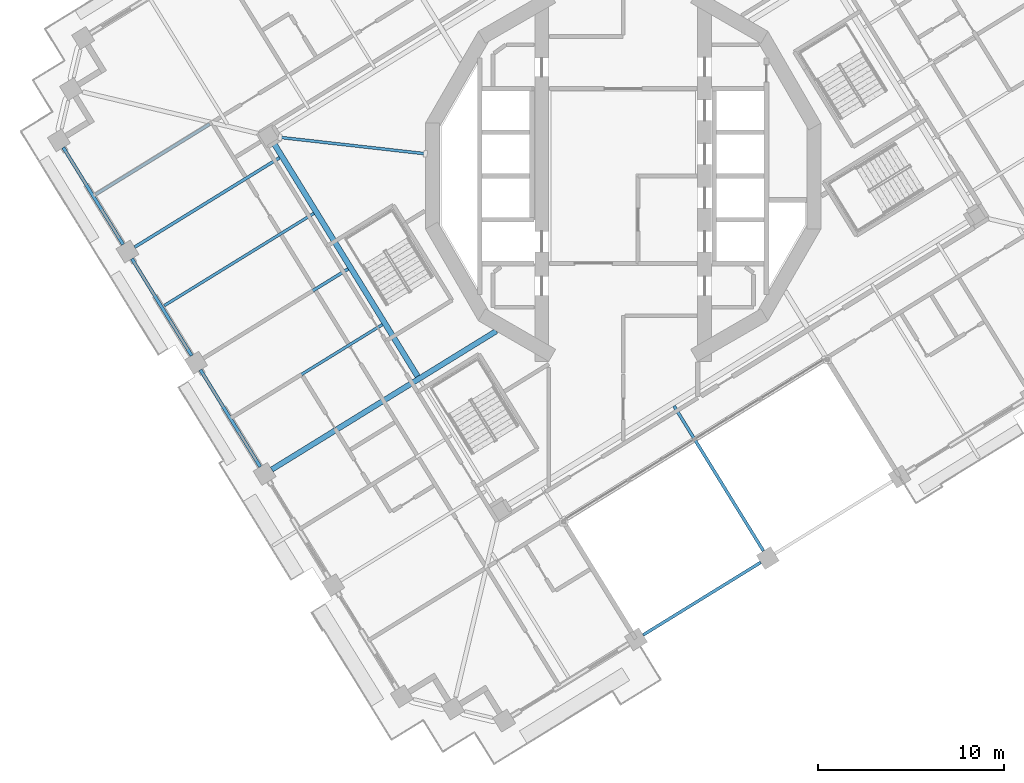
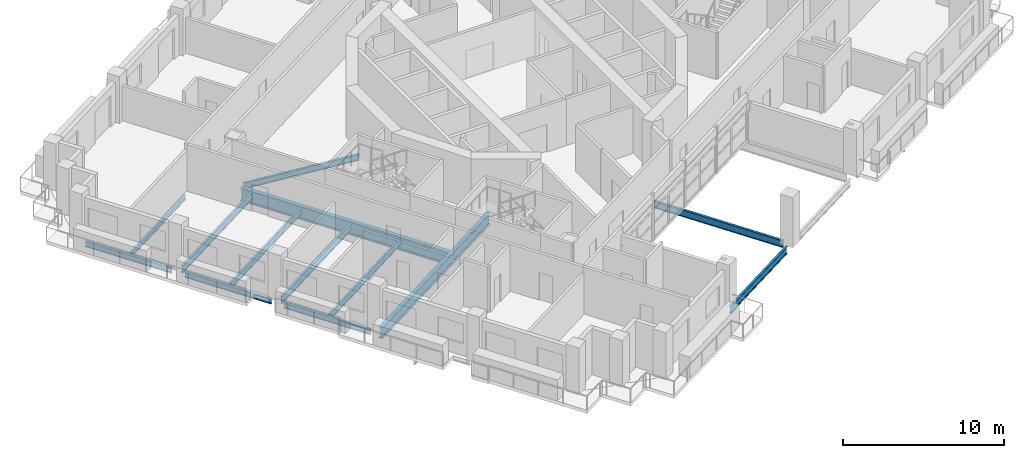
# One storey, part 3 of 22: 13 beams.
"""IFC4 building model written with IfcOpenShell, lengths in metres."""

from ifc_helpers import new_model, si_unit, direction, frame, origin, origin_2d, place, context, subcontext, project, spatial, i_section, extrude, material, material_profile, profile_set, type_object, element, save


model = new_model("IFC4")

# Units and contexts
model_context = context("Model", 3, precision=1e-05, world=origin(), true_north=direction((0.0, 1.0)))
body_context = subcontext(model_context, "Body", "Model", "MODEL_VIEW")
ifc_project = project(units=[si_unit("LENGTHUNIT", "METRE"), si_unit("AREAUNIT", "SQUARE_METRE"), si_unit("VOLUMEUNIT", "CUBIC_METRE"), si_unit("PLANEANGLEUNIT", "RADIAN"), si_unit("MASSUNIT", "GRAM", prefix="KILO")], contexts=[model_context])

# Site, building, storey
site_placement = place(None, origin())
site = spatial("IfcSite", under=ifc_project, at=site_placement, CompositionType="ELEMENT")
building_placement = place(site_placement, origin())
building = spatial("IfcBuilding", under=site, at=building_placement, Name="Cantera Rosa Tower", CompositionType="ELEMENT")
storey_placement = place(building_placement, frame((0.0, 0.0, 178.0)))
storey = spatial("IfcBuildingStorey", under=building, at=storey_placement, Name="L39", CompositionType="ELEMENT", Elevation=178.0)

# Beams
ifc_material_1 = material(Name="Steel ASTM A992 (Fy 345 MPa)", Category="steel")
ifc_material_profile_1 = material_profile(ifc_material_1, i_section(OverallWidth=0.300048828125, OverallDepth=0.990966796875, WebThickness=0.0166015625, FlangeThickness=0.030517578125, FilletRadius=0.030029296875, at=origin_2d()), Name="W1000X272")
ifc_profile_set_1 = profile_set([ifc_material_profile_1], Name="Steel ASTM A992 (Fy 345 MPa)")
beam_type_1 = type_object("IfcBeamType", Name="STEEL BEAM W1000X272", PredefinedType="BEAM", material=ifc_profile_set_1)
beam_1_placement = place(storey_placement, frame((-11.04541015625, -10.7607421875, -0.74560546875), z_axis=(-0.524974072618, 0.851118219215, 0.0), x_axis=(-0.851118219215, -0.524974072618, 0.0)))
element("IfcBeam", 1, at=beam_1_placement, inside=storey, type_object=beam_type_1, Name="RB-Z3-08 L39", PredefinedType="BEAM", context=body_context, shape_type="SweptSolid", body=[
    extrude(i_section(OverallWidth=0.300048828125, OverallDepth=0.990966796875, WebThickness=0.0166015625, FlangeThickness=0.030517578125, FilletRadius=0.030029296875, at=origin_2d()), origin(), (0.0, 0.0, 1.0), 14.7099609375),
])
ifc_material_2 = material(Name="Steel ASTM A992 (Fy 345 MPa)", Category="steel")
ifc_material_profile_2 = material_profile(ifc_material_2, i_section(OverallWidth=0.154052734375, OverallDepth=0.4599609375, WebThickness=0.009033203125, FlangeThickness=0.015380859375, FilletRadius=0.01025390625, at=origin_2d()), Name="W460X68")
ifc_profile_set_2 = profile_set([ifc_material_profile_2], Name="Steel ASTM A992 (Fy 345 MPa)")
beam_type_2 = type_object("IfcBeamType", Name="STEEL BEAM W460X68", PredefinedType="BEAM", material=ifc_profile_set_2)
beam_2_placement = place(storey_placement, frame((-18.435791015625, 2.078125, -0.47998046875), z_axis=(0.993707483767, -0.11200641368, 0.0), x_axis=(0.11200641368, 0.993707483767, 0.0)))
element("IfcBeam", 2, at=beam_2_placement, inside=storey, type_object=beam_type_2, Name="PG-Z3-01 L39", PredefinedType="BEAM", context=body_context, shape_type="SweptSolid", body=[
    extrude(i_section(OverallWidth=0.154052734375, OverallDepth=0.4599609375, WebThickness=0.009033203125, FlangeThickness=0.015380859375, FilletRadius=0.01025390625, at=origin_2d()), origin(), (0.0, 0.0, 1.0), 7.860107421875),
])
ifc_material_3 = material(Name="Steel ASTM A992 (Fy 345 MPa)", Category="steel")
ifc_material_profile_3 = material_profile(ifc_material_3, i_section(OverallWidth=0.166015625, OverallDepth=0.528076171875, WebThickness=0.009765625, FlangeThickness=0.013671875, FilletRadius=0.0126953125, at=origin_2d()), Name="W530X74")
ifc_profile_set_3 = profile_set([ifc_material_profile_3], Name="Steel ASTM A992 (Fy 345 MPa)")
beam_type_3 = type_object("IfcBeamType", Name="STEEL BEAM W530X74", PredefinedType="BEAM", material=ifc_profile_set_3)
beam_3_placement = place(storey_placement, frame((7.536376953125, -20.142578125, -0.513916015625), z_axis=(-0.524965057427, 0.851123779764, 0.0), x_axis=(-0.851123779764, -0.524965057427, 0.0)))
element("IfcBeam", 3, at=beam_3_placement, inside=storey, type_object=beam_type_3, Name="G-Z3-10 L39", PredefinedType="BEAM", context=body_context, shape_type="SweptSolid", body=[
    extrude(i_section(OverallWidth=0.166015625, OverallDepth=0.528076171875, WebThickness=0.009765625, FlangeThickness=0.013671875, FilletRadius=0.0126953125, at=origin_2d()), origin(), (0.0, 0.0, 1.0), 9.150146484375),
])
beam_4_placement = place(storey_placement, frame((-26.252685546875, -3.82080078125, -0.513916015625), z_axis=(0.851116426313, 0.524976979362, 0.0), x_axis=(-0.524976979362, 0.851116426313, 0.0)))
element("IfcBeam", 4, at=beam_4_placement, inside=storey, type_object=beam_type_3, Name="G-Z3-13 L39", PredefinedType="BEAM", context=body_context, shape_type="SweptSolid", body=[
    extrude(i_section(OverallWidth=0.166015625, OverallDepth=0.528076171875, WebThickness=0.009765625, FlangeThickness=0.013671875, FilletRadius=0.0126953125, at=origin_2d()), origin(), (0.0, 0.0, 1.0), 9.14990234375),
])
beam_5_placement = place(storey_placement, frame((-22.5673828125, -9.795654296875, -0.513916015625), z_axis=(0.851123779764, 0.524965057427, 0.0), x_axis=(-0.524965057427, 0.851123779764, 0.0)))
element("IfcBeam", 5, at=beam_5_placement, inside=storey, type_object=beam_type_3, Name="G-Z3-14 L39", PredefinedType="BEAM", context=body_context, shape_type="SweptSolid", body=[
    extrude(i_section(OverallWidth=0.166015625, OverallDepth=0.528076171875, WebThickness=0.009765625, FlangeThickness=0.013671875, FilletRadius=0.0126953125, at=origin_2d()), origin(), (0.0, 0.0, 1.0), 9.150146484375),
])
ifc_material_4 = material(Name="Steel ASTM A992 (Fy 345 MPa)", Category="steel")
ifc_material_profile_4 = material_profile(ifc_material_4, i_section(OverallWidth=0.2919921875, OverallDepth=0.8359375, WebThickness=0.013916015625, FlangeThickness=0.018798828125, FilletRadius=0.017822265625, at=origin_2d()), Name="W840X176")
ifc_profile_set_4 = profile_set([ifc_material_profile_4], Name="Steel ASTM A992 (Fy 345 MPa)")
beam_type_4 = type_object("IfcBeamType", Name="STEEL BEAM W840X176", PredefinedType="BEAM", material=ifc_profile_set_4)
beam_6_placement = place(storey_placement, frame((-18.882080078125, -15.7705078125, -0.66796875), z_axis=(0.8511231456, 0.524966085595, 0.0), x_axis=(-0.524966085595, 0.8511231456, 0.0)))
element("IfcBeam", 6, at=beam_6_placement, inside=storey, type_object=beam_type_4, Name="G-Z3-15 L39", PredefinedType="BEAM", context=body_context, shape_type="SweptSolid", body=[
    extrude(i_section(OverallWidth=0.2919921875, OverallDepth=0.8359375, WebThickness=0.013916015625, FlangeThickness=0.018798828125, FilletRadius=0.017822265625, at=origin_2d()), origin(), (0.0, 0.0, 1.0), 14.17138671875),
])
ifc_material_5 = material(Name="Steel ASTM A992 (Fy 345 MPa)", Category="steel")
ifc_material_profile_5 = material_profile(ifc_material_5, i_section(OverallWidth=0.1708984375, OverallDepth=0.35595703125, WebThickness=0.00732421875, FlangeThickness=0.01171875, FilletRadius=0.010009765625, at=origin_2d()), Name="W360X51")
ifc_profile_set_5 = profile_set([ifc_material_profile_5], Name="Steel ASTM A992 (Fy 345 MPa)")
beam_type_5 = type_object("IfcBeamType", Name="STEEL JOIST W360X51", PredefinedType="JOIST", material=ifc_profile_set_5)
beam_7_placement = place(storey_placement, frame((-28.3505859375, -0.990966796875, -0.427978515625), z_axis=(0.851109089911, 0.524988873283, 0.0), x_axis=(-0.524988873283, 0.851109089911, 0.0)))
element("IfcBeam", 7, at=beam_7_placement, inside=storey, type_object=beam_type_5, Name="B-Z3-16 L39", PredefinedType="JOIST", context=body_context, shape_type="SweptSolid", body=[
    extrude(i_section(OverallWidth=0.1708984375, OverallDepth=0.35595703125, WebThickness=0.00732421875, FlangeThickness=0.01171875, FilletRadius=0.010009765625, at=origin_2d()), origin(), (0.0, 0.0, 1.0), 7.2099609375),
])
ifc_material_6 = material(Name="Steel ASTM A992 (Fy 345 MPa)", Category="steel")
ifc_material_profile_6 = material_profile(ifc_material_6, i_section(OverallWidth=0.154052734375, OverallDepth=0.4599609375, WebThickness=0.009033203125, FlangeThickness=0.015380859375, FilletRadius=0.01025390625, at=origin_2d()), Name="W460X68")
ifc_profile_set_6 = profile_set([ifc_material_profile_6], Name="Steel ASTM A992 (Fy 345 MPa)")
beam_type_6 = type_object("IfcBeamType", Name="STEEL JOIST W460X68", PredefinedType="JOIST", material=ifc_profile_set_6)
for number, where, z_axis, x_axis, name in (
    (8, (-24.665283203125, -6.9658203125, -0.47998046875), (0.851118539758, 0.524973552935, 0.0), (-0.524973552935, 0.851118539758, 0.0), "B-Z3-17 L39"),
    (9, (-20.97998046875, -12.940673828125, -0.47998046875), (0.851118539758, 0.524973552935, 0.0), (-0.524973552935, 0.851118539758, 0.0), "B-Z3-18 L39"),
):
    element("IfcBeam", number, at=place(storey_placement, frame(where, z_axis=z_axis, x_axis=x_axis)), inside=storey, type_object=beam_type_6, Name=name, PredefinedType="JOIST", context=body_context, shape_type="SweptSolid", body=[
        extrude(i_section(OverallWidth=0.154052734375, OverallDepth=0.4599609375, WebThickness=0.009033203125, FlangeThickness=0.015380859375, FilletRadius=0.01025390625, at=origin_2d()), origin(), (0.0, 0.0, 1.0), 9.449951171875),
    ])
ifc_material_7 = material(Name="Steel ASTM A992 (Fy 345 MPa)", Category="steel")
ifc_material_profile_7 = material_profile(ifc_material_7, i_section(OverallWidth=0.177978515625, OverallDepth=0.406005859375, WebThickness=0.0078125, FlangeThickness=0.0126953125, FilletRadius=0.01025390625, at=origin_2d()), Name="W410X60")
ifc_profile_set_7 = profile_set([ifc_material_profile_7], Name="Steel ASTM A992 (Fy 345 MPa)")
beam_type_7 = type_object("IfcBeamType", Name="STEEL SPANDREL BEAM W410X60", PredefinedType="SPANDREL", material=ifc_profile_set_7)
for number, where, z_axis, x_axis, name in (
    (10, (-30.084716796875, 1.53466796875, -0.452880859375), (0.524987447654, -0.851109969279, 0.0), (0.851109969279, 0.524987447654, 0.0), "EB-Z3-15 L39"),
    (11, (-26.3994140625, -4.440185546875, -0.452880859375), (0.524987447654, -0.851109969279, 0.0), (0.851109969279, 0.524987447654, 0.0), "EB-Z3-16 L39"),
    (12, (-22.714111328125, -10.4150390625, -0.452880859375), (0.524987447654, -0.851109969279, 0.0), (0.851109969279, 0.524987447654, 0.0), "EB-Z3-17 L39"),
):
    element("IfcBeam", number, at=place(storey_placement, frame(where, z_axis=z_axis, x_axis=x_axis)), inside=storey, type_object=beam_type_7, Name=name, PredefinedType="SPANDREL", context=body_context, shape_type="SweptSolid", body=[
        extrude(i_section(OverallWidth=0.177978515625, OverallDepth=0.406005859375, WebThickness=0.0078125, FlangeThickness=0.0126953125, FilletRadius=0.01025390625, at=origin_2d()), origin(), (0.0, 0.0, 1.0), 6.119873046875),
    ])
ifc_material_8 = material(Name="Steel ASTM A992 (Fy 345 MPa)", Category="steel")
ifc_material_profile_8 = material_profile(ifc_material_8, i_section(OverallWidth=0.166015625, OverallDepth=0.528076171875, WebThickness=0.009765625, FlangeThickness=0.013671875, FilletRadius=0.0126953125, at=origin_2d()), Name="W530X74")
ifc_profile_set_8 = profile_set([ifc_material_profile_8], Name="Steel ASTM A992 (Fy 345 MPa)")
beam_type_8 = type_object("IfcBeamType", Name="STEEL SPANDREL BEAM W530X74", PredefinedType="SPANDREL", material=ifc_profile_set_8)
beam_8_placement = place(storey_placement, frame((1.07421875, -24.656982421875, -0.513916015625), z_axis=(0.85112578684, 0.524961803349, 0.0), x_axis=(-0.524961803349, 0.85112578684, 0.0)))
element("IfcBeam", 13, at=beam_8_placement, inside=storey, type_object=beam_type_8, Name="EB-Z3-23 L39", PredefinedType="SPANDREL", context=body_context, shape_type="SweptSolid", body=[
    extrude(i_section(OverallWidth=0.166015625, OverallDepth=0.528076171875, WebThickness=0.009765625, FlangeThickness=0.013671875, FilletRadius=0.0126953125, at=origin_2d()), origin(), (0.0, 0.0, 1.0), 7.420166015625),
])

save(model, "model.ifc")
